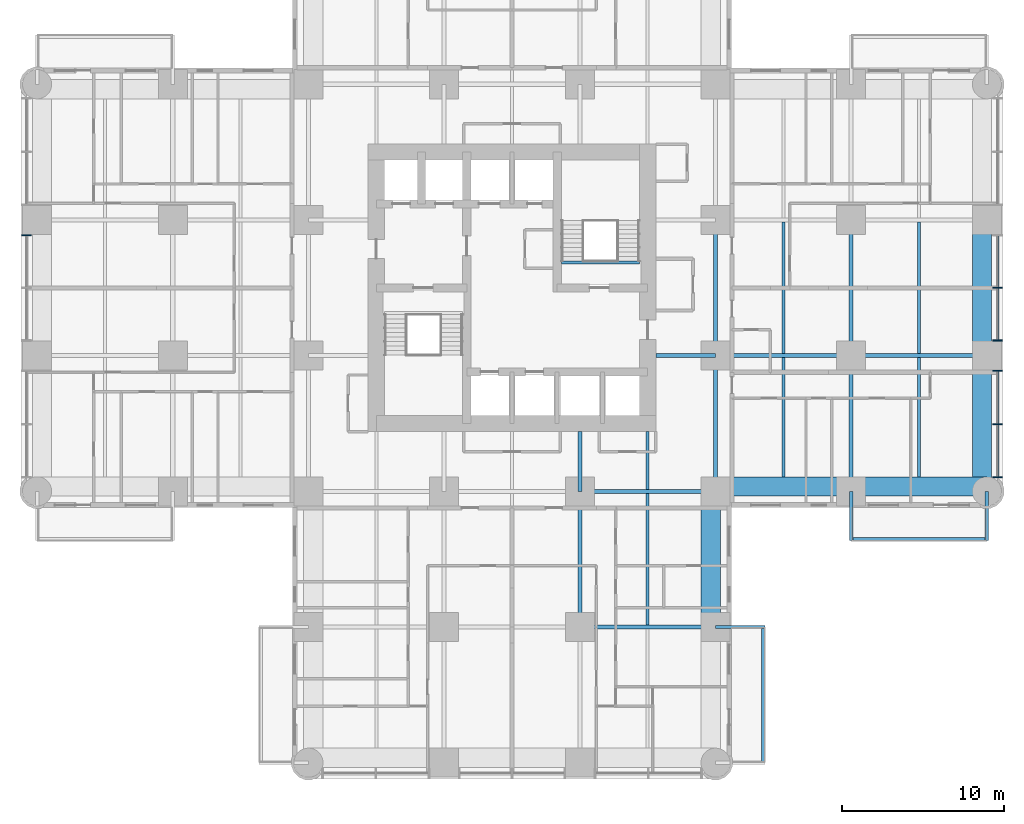
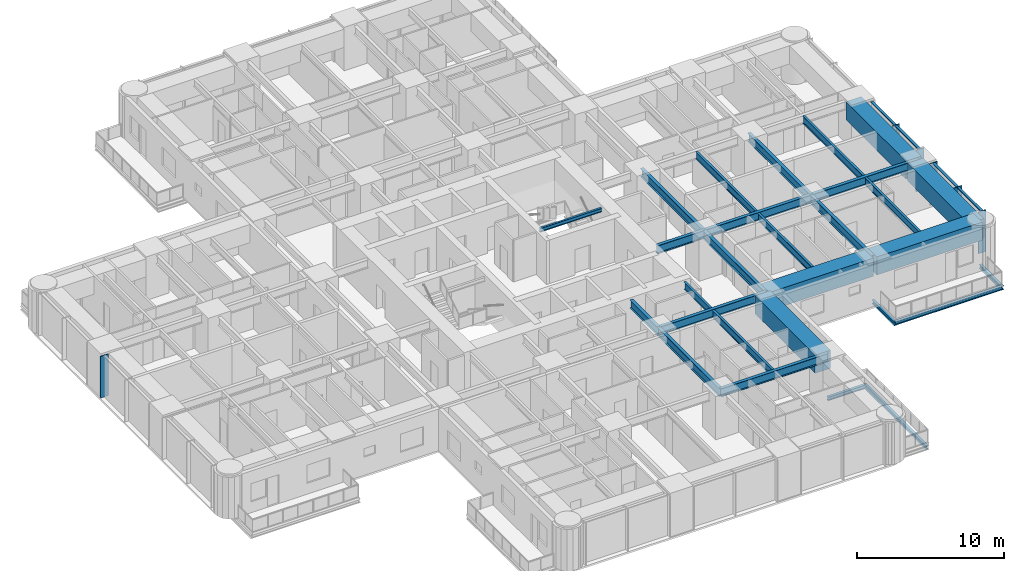
# One storey, part 3 of 17: 28 beams, 10 members, 2 elements without a shape of their own.
"""IFC4 building model written with IfcOpenShell, lengths in metres."""

from ifc_helpers import new_model, si_unit, direction, frame, origin, origin_2d, place, context, subcontext, project, spatial, rectangle, i_section, extrude, material, material_profile, profile_set, type_object, element, aggregate, save


model = new_model("IFC4")

# Units and contexts
model_context = context("Model", 3, precision=1e-05, world=origin(), true_north=direction((0.0, 1.0)))
body_context = subcontext(model_context, "Body", "Model", "MODEL_VIEW")
ifc_project = project(units=[si_unit("LENGTHUNIT", "METRE"), si_unit("AREAUNIT", "SQUARE_METRE"), si_unit("VOLUMEUNIT", "CUBIC_METRE"), si_unit("PLANEANGLEUNIT", "RADIAN"), si_unit("MASSUNIT", "GRAM", prefix="KILO")], contexts=[model_context])

# Site, building, storey
site_placement = place(None, origin())
site = spatial("IfcSite", under=ifc_project, at=site_placement, CompositionType="ELEMENT")
building_placement = place(site_placement, origin())
building = spatial("IfcBuilding", under=site, at=building_placement, Name="Torre Alcanfor", CompositionType="ELEMENT")
storey_placement = place(building_placement, frame((0.0, 0.0, 59.699951171875)))
storey = spatial("IfcBuildingStorey", under=building, at=storey_placement, Name="L14", CompositionType="ELEMENT", Elevation=59.699951171875)

# Beams
ifc_material_1 = material(Name="Steel ASTM A992 Grade 50", Category="steel")
ifc_material_profile_1 = material_profile(ifc_material_1, i_section(OverallWidth=0.205322265625, OverallDepth=0.309814453125, WebThickness=0.00927734375, FlangeThickness=0.016357421875, at=origin_2d()), Name="W12x50")
ifc_profile_set_1 = profile_set([ifc_material_profile_1], Name="Steel ASTM A992 Grade 50")
beam_type_1 = type_object("IfcBeamType", Name="Balcony cantilever beam W12x50", PredefinedType="BEAM", material=ifc_profile_set_1)
for number, where, z_axis, x_axis, name in (
    (1, (50.39990234375, 16.800048828125, -0.35498046875), (0.0, -1.0, 0.0), (1.0, 0.0, 0.0), "Balcony cantilever beam L14-E2 1"),
    (2, (58.800048828125, 16.800048828125, -0.35498046875), (0.0, -1.0, 0.0), (1.0, 0.0, 0.0), "Balcony cantilever beam L14-E2 2"),
    (3, (42.0, 8.39990234375, -0.35498046875), (1.0, 0.0, 0.0), (0.0, 1.0, 0.0), "Balcony cantilever beam L14-S1 1"),
):
    element("IfcBeam", number, at=place(storey_placement, frame(where, z_axis=z_axis, x_axis=x_axis)), inside=storey, type_object=beam_type_1, Name=name, PredefinedType="BEAM", context=body_context, shape_type="SweptSolid", body=[
        extrude(i_section(OverallWidth=0.205322265625, OverallDepth=0.309814453125, WebThickness=0.00927734375, FlangeThickness=0.016357421875, at=origin_2d()), origin(), (0.0, 0.0, 1.0), 3.050048828125),
    ])
ifc_material_2 = material(Name="Steel ASTM A992 Grade 50", Category="steel")
ifc_material_profile_2 = material_profile(ifc_material_2, i_section(OverallWidth=0.203369140625, OverallDepth=0.30224609375, WebThickness=0.007568359375, FlangeThickness=0.01318359375, at=origin_2d()), Name="W12x40")
ifc_profile_set_2 = profile_set([ifc_material_profile_2], Name="Steel ASTM A992 Grade 50")
beam_type_2 = type_object("IfcBeamType", Name="Balcony edge trimmer W12x40", PredefinedType="BEAM", material=ifc_profile_set_2)
beam_1_placement = place(storey_placement, frame((50.39990234375, 13.851806640625, -0.35107421875), z_axis=(1.0, 0.0, 0.0), x_axis=(0.0, 1.0, 0.0)))
element("IfcBeam", 4, at=beam_1_placement, inside=storey, type_object=beam_type_2, Name="Balcony edge trimmer L14-E2", PredefinedType="BEAM", context=body_context, shape_type="SweptSolid", body=[
    extrude(i_section(OverallWidth=0.203369140625, OverallDepth=0.30224609375, WebThickness=0.007568359375, FlangeThickness=0.01318359375, at=origin_2d()), origin(), (0.0, 0.0, 1.0), 8.400146484375),
])
beam_2_placement = place(storey_placement, frame((44.9482421875, 8.39990234375, -0.35107421875), z_axis=(0.0, -1.0, 0.0), x_axis=(1.0, 0.0, 0.0)))
element("IfcBeam", 5, at=beam_2_placement, inside=storey, type_object=beam_type_2, Name="Balcony edge trimmer L14-S1", PredefinedType="BEAM", context=body_context, shape_type="SweptSolid", body=[
    extrude(i_section(OverallWidth=0.203369140625, OverallDepth=0.30224609375, WebThickness=0.007568359375, FlangeThickness=0.01318359375, at=origin_2d()), origin(), (0.0, 0.0, 1.0), 8.39990234375),
])

# Curtain wall, member
ifc_material_3 = material(Name="Aluminium and glass", Category="aluminium")
curtain_wall_type = type_object("IfcCurtainWallType", Name="CW-A unitised apartment glazing with vertical FIN", PredefinedType="NOTDEFINED", material=ifc_material_3)
curtain_wall_1_placement = place(storey_placement, origin())
curtain_wall_1 = element("IfcCurtainWall", 6, at=curtain_wall_1_placement, inside=storey, type_object=curtain_wall_type, Name="Curtain wall CW-A L14 2", PredefinedType="NOTDEFINED")
ifc_material_4 = material(Name="Bronze anodised aluminium", Category="aluminium")
ifc_material_profile_3 = material_profile(ifc_material_4, rectangle(XDim=0.60009765625, YDim=0.06494140625, at=origin_2d()), Name="CW-A mullion 65x600")
ifc_profile_set_3 = profile_set([ifc_material_profile_3], Name="Bronze anodised aluminium")
member_type_1 = type_object("IfcMemberType", Name="CW-A mullion with vertical FIN 65x600", PredefinedType="MULLION", material=ifc_profile_set_3)
member_1_placement = place(storey_placement, frame((-0.64990234375, 32.66259765625, 0.0), z_axis=(0.0, 0.0, 1.0), x_axis=(1.0, 0.0, 0.0)))
member_1 = element("IfcMember", 7, at=member_1_placement, type_object=member_type_1, Name="CW-A mullion 2.1", PredefinedType="MULLION", context=body_context, shape_type="SweptSolid", body=[
    extrude(rectangle(XDim=0.60009765625, YDim=0.06494140625, at=origin_2d()), origin(), (0.0, 0.0, 1.0), 3.449951171875),
])
aggregate(curtain_wall_1, [member_1])

# Curtain wall, members
curtain_wall_2_placement = place(storey_placement, origin())
curtain_wall_2 = element("IfcCurtainWall", 8, at=curtain_wall_2_placement, inside=storey, type_object=curtain_wall_type, Name="Curtain wall CW-A L14 8", PredefinedType="NOTDEFINED")
member_2_placement = place(storey_placement, frame((59.449951171875, 17.6669921875, 0.0), z_axis=(0.0, 0.0, 1.0), x_axis=(-1.0, 0.0, 0.0)))
member_2 = element("IfcMember", 9, at=member_2_placement, type_object=member_type_1, Name="CW-A mullion 1.1", PredefinedType="MULLION", context=body_context, shape_type="SweptSolid", body=[
    extrude(rectangle(XDim=0.60009765625, YDim=0.06494140625, at=origin_2d()), origin(), (0.0, 0.0, 1.0), 3.449951171875),
])
member_3_placement = place(storey_placement, frame((59.449951171875, 20.96484375, 0.0), z_axis=(0.0, 0.0, 1.0), x_axis=(-1.0, 0.0, 0.0)))
member_3 = element("IfcMember", 10, at=member_3_placement, type_object=member_type_1, Name="CW-A mullion 1.2", PredefinedType="MULLION", context=body_context, shape_type="SweptSolid", body=[
    extrude(rectangle(XDim=0.60009765625, YDim=0.06494140625, at=origin_2d()), origin(), (0.0, 0.0, 1.0), 3.449951171875),
])
member_4_placement = place(storey_placement, frame((59.449951171875, 24.262451171875, 0.0), z_axis=(0.0, 0.0, 1.0), x_axis=(-1.0, 0.0, 0.0)))
member_4 = element("IfcMember", 11, at=member_4_placement, type_object=member_type_1, Name="CW-A mullion 1.3", PredefinedType="MULLION", context=body_context, shape_type="SweptSolid", body=[
    extrude(rectangle(XDim=0.60009765625, YDim=0.06494140625, at=origin_2d()), origin(), (0.0, 0.0, 1.0), 3.449951171875),
])
member_5_placement = place(storey_placement, frame((59.449951171875, 26.137451171875, 0.0), z_axis=(0.0, 0.0, 1.0), x_axis=(-1.0, 0.0, 0.0)))
member_5 = element("IfcMember", 12, at=member_5_placement, type_object=member_type_1, Name="CW-A mullion 2.1", PredefinedType="MULLION", context=body_context, shape_type="SweptSolid", body=[
    extrude(rectangle(XDim=0.60009765625, YDim=0.06494140625, at=origin_2d()), origin(), (0.0, 0.0, 1.0), 3.449951171875),
])
member_6_placement = place(storey_placement, frame((59.449951171875, 29.39990234375, 0.0), z_axis=(0.0, 0.0, 1.0), x_axis=(-1.0, 0.0, 0.0)))
member_6 = element("IfcMember", 13, at=member_6_placement, type_object=member_type_1, Name="CW-A mullion 2.2", PredefinedType="MULLION", context=body_context, shape_type="SweptSolid", body=[
    extrude(rectangle(XDim=0.60009765625, YDim=0.06494140625, at=origin_2d()), origin(), (0.0, 0.0, 1.0), 3.449951171875),
])
ifc_material_5 = material(Name="Extruded aluminium", Category="aluminium")
ifc_material_profile_4 = material_profile(ifc_material_5, rectangle(XDim=0.199951171875, YDim=0.06494140625, at=origin_2d()), Name="CW-A transom 200x65")
ifc_profile_set_4 = profile_set([ifc_material_profile_4], Name="Extruded aluminium")
member_type_2 = type_object("IfcMemberType", Name="CW-A transom 65x200", PredefinedType="USERDEFINED", material=ifc_profile_set_4)
member_7_placement = place(storey_placement, frame((59.449951171875, 17.699462890625, 3.41748046875), z_axis=(0.0, 1.0, 0.0), x_axis=(-1.0, 0.0, 0.0)))
member_7 = element("IfcMember", 14, at=member_7_placement, type_object=member_type_2, Name="CW-A transom 1.1.2", ObjectType="TRANSOM", PredefinedType="USERDEFINED", context=body_context, shape_type="SweptSolid", body=[
    extrude(rectangle(XDim=0.199951171875, YDim=0.06494140625, at=origin_2d()), origin(), (0.0, 0.0, 1.0), 3.232666015625),
])
member_8_placement = place(storey_placement, frame((59.449951171875, 20.997314453125, 3.41748046875), z_axis=(0.0, 1.0, 0.0), x_axis=(-1.0, 0.0, 0.0)))
member_8 = element("IfcMember", 15, at=member_8_placement, type_object=member_type_2, Name="CW-A transom 1.2.2", ObjectType="TRANSOM", PredefinedType="USERDEFINED", context=body_context, shape_type="SweptSolid", body=[
    extrude(rectangle(XDim=0.199951171875, YDim=0.06494140625, at=origin_2d()), origin(), (0.0, 0.0, 1.0), 3.232666015625),
])
member_9_placement = place(storey_placement, frame((59.449951171875, 26.169921875, 3.41748046875), z_axis=(0.0, 1.0, 0.0), x_axis=(-1.0, 0.0, 0.0)))
member_9 = element("IfcMember", 16, at=member_9_placement, type_object=member_type_2, Name="CW-A transom 2.1.2", ObjectType="TRANSOM", PredefinedType="USERDEFINED", context=body_context, shape_type="SweptSolid", body=[
    extrude(rectangle(XDim=0.199951171875, YDim=0.06494140625, at=origin_2d()), origin(), (0.0, 0.0, 1.0), 3.197509765625),
])
member_10_placement = place(storey_placement, frame((59.449951171875, 29.4326171875, 3.41748046875), z_axis=(0.0, 1.0, 0.0), x_axis=(-1.0, 0.0, 0.0)))
member_10 = element("IfcMember", 17, at=member_10_placement, type_object=member_type_2, Name="CW-A transom 2.2.2", ObjectType="TRANSOM", PredefinedType="USERDEFINED", context=body_context, shape_type="SweptSolid", body=[
    extrude(rectangle(XDim=0.199951171875, YDim=0.06494140625, at=origin_2d()), origin(), (0.0, 0.0, 1.0), 3.197265625),
])
aggregate(curtain_wall_2, [member_2, member_3, member_4, member_7, member_8, member_5, member_6, member_9, member_10])

# Beams
ifc_material_6 = material(Name="Steel ASTM A992 Grade 50", Category="steel")
ifc_material_profile_5 = material_profile(ifc_material_6, i_section(OverallWidth=0.25390625, OverallDepth=0.683349609375, WebThickness=0.012451171875, FlangeThickness=0.01904296875, at=origin_2d()), Name="W27x94")
ifc_profile_set_5 = profile_set([ifc_material_profile_5], Name="Steel ASTM A992 Grade 50")
beam_type_3 = type_object("IfcBeamType", Name="Girder W27x94", PredefinedType="BEAM", material=ifc_profile_set_5)
for number, where, z_axis, x_axis, name in (
    (18, (33.60009765625, 8.39990234375, 3.1083984375), (1.0, 0.0, 0.0), (0.0, 1.0, 0.0), "Beam 5D-6D under L15"),
    (19, (33.60009765625, 16.800048828125, 3.1083984375), (1.0, 0.0, 0.0), (0.0, 1.0, 0.0), "Beam 5E-6E under L15"),
    (20, (42.0, 25.199951171875, 3.1083984375), (1.0, 0.0, 0.0), (0.0, 1.0, 0.0), "Beam 6F-7F under L15"),
):
    element("IfcBeam", number, at=place(storey_placement, frame(where, z_axis=z_axis, x_axis=x_axis)), inside=storey, type_object=beam_type_3, Name=name, PredefinedType="BEAM", context=body_context, shape_type="SweptSolid", body=[
        extrude(i_section(OverallWidth=0.25390625, OverallDepth=0.683349609375, WebThickness=0.012451171875, FlangeThickness=0.01904296875, at=origin_2d()), origin(), (0.0, 0.0, 1.0), 8.39990234375),
    ])
for number, where, z_axis, x_axis, name in (
    (21, (50.39990234375, 25.199951171875, 3.1083984375), (1.0, 0.0, 0.0), (0.0, 1.0, 0.0), "Beam 7F-8F under L15"),
    (22, (33.60009765625, 8.39990234375, 3.1083984375), (0.0, 1.0, 0.0), (-1.0, 0.0, 0.0), "Beam 5D-5E under L15"),
):
    element("IfcBeam", number, at=place(storey_placement, frame(where, z_axis=z_axis, x_axis=x_axis)), inside=storey, type_object=beam_type_3, Name=name, PredefinedType="BEAM", context=body_context, shape_type="SweptSolid", body=[
        extrude(i_section(OverallWidth=0.25390625, OverallDepth=0.683349609375, WebThickness=0.012451171875, FlangeThickness=0.01904296875, at=origin_2d()), origin(), (0.0, 0.0, 1.0), 8.400146484375),
    ])
beam_3_placement = place(storey_placement, frame((42.0, 16.800048828125, 3.1083984375), z_axis=(0.0, 1.0, 0.0), x_axis=(-1.0, 0.0, 0.0)))
element("IfcBeam", 23, at=beam_3_placement, inside=storey, type_object=beam_type_3, Name="Beam 6E-6F under L15", PredefinedType="BEAM", context=body_context, shape_type="SweptSolid", body=[
    extrude(i_section(OverallWidth=0.25390625, OverallDepth=0.683349609375, WebThickness=0.012451171875, FlangeThickness=0.01904296875, at=origin_2d()), origin(), (0.0, 0.0, 1.0), 8.39990234375),
])
beam_4_placement = place(storey_placement, frame((42.0, 25.199951171875, 3.1083984375), z_axis=(0.0, 1.0, 0.0), x_axis=(-1.0, 0.0, 0.0)))
element("IfcBeam", 24, at=beam_4_placement, inside=storey, type_object=beam_type_3, Name="Beam 6F-6G under L15", PredefinedType="BEAM", context=body_context, shape_type="SweptSolid", body=[
    extrude(i_section(OverallWidth=0.25390625, OverallDepth=0.683349609375, WebThickness=0.012451171875, FlangeThickness=0.01904296875, at=origin_2d()), origin(), (0.0, 0.0, 1.0), 8.400146484375),
])
beam_5_placement = place(storey_placement, frame((50.39990234375, 16.800048828125, 3.1083984375), z_axis=(0.0, 1.0, 0.0), x_axis=(-1.0, 0.0, 0.0)))
element("IfcBeam", 25, at=beam_5_placement, inside=storey, type_object=beam_type_3, Name="Beam 7E-7F under L15", PredefinedType="BEAM", context=body_context, shape_type="SweptSolid", body=[
    extrude(i_section(OverallWidth=0.25390625, OverallDepth=0.683349609375, WebThickness=0.012451171875, FlangeThickness=0.01904296875, at=origin_2d()), origin(), (0.0, 0.0, 1.0), 8.39990234375),
])
beam_6_placement = place(storey_placement, frame((50.39990234375, 25.199951171875, 3.1083984375), z_axis=(0.0, 1.0, 0.0), x_axis=(-1.0, 0.0, 0.0)))
element("IfcBeam", 26, at=beam_6_placement, inside=storey, type_object=beam_type_3, Name="Beam 7F-7G under L15", PredefinedType="BEAM", context=body_context, shape_type="SweptSolid", body=[
    extrude(i_section(OverallWidth=0.25390625, OverallDepth=0.683349609375, WebThickness=0.012451171875, FlangeThickness=0.01904296875, at=origin_2d()), origin(), (0.0, 0.0, 1.0), 8.400146484375),
])
ifc_material_7 = material(Name="Steel ASTM A992 Grade 50", Category="steel")
ifc_material_profile_6 = material_profile(ifc_material_7, i_section(OverallWidth=0.25390625, OverallDepth=0.683349609375, WebThickness=0.012451171875, FlangeThickness=0.01904296875, at=origin_2d()), Name="W27x94")
ifc_profile_set_6 = profile_set([ifc_material_profile_6], Name="Steel ASTM A992 Grade 50")
beam_type_4 = type_object("IfcBeamType", Name="Girder, part bay W27x94", PredefinedType="BEAM", material=ifc_profile_set_6)
for number, where, z_axis, x_axis, name in (
    (27, (33.60009765625, 16.800048828125, 3.1083984375), (0.0, 1.0, 0.0), (-1.0, 0.0, 0.0), "Beam 5E-520_5 under L15"),
    (28, (42.0, 25.199951171875, 3.1083984375), (-1.0, 0.0, 0.0), (0.0, -1.0, 0.0), "Beam 6F-38_3F under L15"),
):
    element("IfcBeam", number, at=place(storey_placement, frame(where, z_axis=z_axis, x_axis=x_axis)), inside=storey, type_object=beam_type_4, Name=name, PredefinedType="BEAM", context=body_context, shape_type="SweptSolid", body=[
        extrude(i_section(OverallWidth=0.25390625, OverallDepth=0.683349609375, WebThickness=0.012451171875, FlangeThickness=0.01904296875, at=origin_2d()), origin(), (0.0, 0.0, 1.0), 3.699951171875),
    ])
ifc_material_8 = material(Name="Concrete f'c 70 MPa", Category="concrete")
ifc_material_profile_7 = material_profile(ifc_material_8, rectangle(XDim=1.199951171875, YDim=1.5, at=origin_2d()), Name="1200x1500")
ifc_profile_set_7 = profile_set([ifc_material_profile_7], Name="Concrete f'c 70 MPa")
beam_type_5 = type_object("IfcBeamType", Name="RC perimeter beam 1200x1500", PredefinedType="BEAM", material=ifc_profile_set_7)
beam_7_placement = place(storey_placement, frame((42.126953125, 17.10009765625, 2.699951171875), z_axis=(1.0, 0.0, 0.0), x_axis=(0.0, 1.0, 0.0)))
element("IfcBeam", 29, at=beam_7_placement, inside=storey, type_object=beam_type_5, Name="Beam 6E-7E under L15", PredefinedType="BEAM", context=body_context, shape_type="SweptSolid", body=[
    extrude(rectangle(XDim=1.199951171875, YDim=1.5, at=origin_2d()), origin(), (0.0, 0.0, 1.0), 8.14599609375),
])
beam_8_placement = place(storey_placement, frame((50.527099609375, 17.10009765625, 2.699951171875), z_axis=(1.0, 0.0, 0.0), x_axis=(0.0, 1.0, 0.0)))
element("IfcBeam", 30, at=beam_8_placement, inside=storey, type_object=beam_type_5, Name="Beam 7E-8E under L15", PredefinedType="BEAM", context=body_context, shape_type="SweptSolid", body=[
    extrude(rectangle(XDim=1.199951171875, YDim=1.5, at=origin_2d()), origin(), (0.0, 0.0, 1.0), 8.27294921875),
])
beam_9_placement = place(storey_placement, frame((41.699951171875, 8.527099609375, 2.699951171875), z_axis=(0.0, 1.0, 0.0), x_axis=(-1.0, 0.0, 0.0)))
element("IfcBeam", 31, at=beam_9_placement, inside=storey, type_object=beam_type_5, Name="Beam 6D-6E under L15", PredefinedType="BEAM", context=body_context, shape_type="SweptSolid", body=[
    extrude(rectangle(XDim=1.199951171875, YDim=1.5, at=origin_2d()), origin(), (0.0, 0.0, 1.0), 8.14599609375),
])
beam_10_placement = place(storey_placement, frame((58.5, 16.800048828125, 2.699951171875), z_axis=(0.0, 1.0, 0.0), x_axis=(-1.0, 0.0, 0.0)))
element("IfcBeam", 32, at=beam_10_placement, inside=storey, type_object=beam_type_5, Name="Beam 8E-8F under L15", PredefinedType="BEAM", context=body_context, shape_type="SweptSolid", body=[
    extrude(rectangle(XDim=1.199951171875, YDim=1.5, at=origin_2d()), origin(), (0.0, 0.0, 1.0), 8.27294921875),
])
beam_11_placement = place(storey_placement, frame((58.5, 25.326904296875, 2.699951171875), z_axis=(0.0, 1.0, 0.0), x_axis=(-1.0, 0.0, 0.0)))
element("IfcBeam", 33, at=beam_11_placement, inside=storey, type_object=beam_type_5, Name="Beam 8F-8G under L15", PredefinedType="BEAM", context=body_context, shape_type="SweptSolid", body=[
    extrude(rectangle(XDim=1.199951171875, YDim=1.5, at=origin_2d()), origin(), (0.0, 0.0, 1.0), 8.14599609375),
])
ifc_material_9 = material(Name="Steel ASTM A992 Grade 50", Category="steel")
ifc_material_profile_8 = material_profile(ifc_material_9, i_section(OverallWidth=0.1787109375, OverallDepth=0.60205078125, WebThickness=0.010986328125, FlangeThickness=0.014892578125, at=origin_2d()), Name="W24x62")
ifc_profile_set_8 = profile_set([ifc_material_profile_8], Name="Steel ASTM A992 Grade 50")
beam_type_6 = type_object("IfcBeamType", Name="Secondary beam W24x62", PredefinedType="BEAM", material=ifc_profile_set_8)
beam_12_placement = place(storey_placement, frame((37.800048828125, 8.527099609375, 3.149169921875), z_axis=(0.0, 1.0, 0.0), x_axis=(-1.0, 0.0, 0.0)))
element("IfcBeam", 34, at=beam_12_placement, inside=storey, type_object=beam_type_6, Name="Beam 37_8D-37_8E under L15", PredefinedType="BEAM", context=body_context, shape_type="SweptSolid", body=[
    extrude(i_section(OverallWidth=0.1787109375, OverallDepth=0.60205078125, WebThickness=0.010986328125, FlangeThickness=0.014892578125, at=origin_2d()), origin(), (0.0, 0.0, 1.0), 8.14599609375),
])
beam_13_placement = place(storey_placement, frame((46.199951171875, 17.699951171875, 3.149169921875), z_axis=(0.0, 1.0, 0.0), x_axis=(-1.0, 0.0, 0.0)))
element("IfcBeam", 35, at=beam_13_placement, inside=storey, type_object=beam_type_6, Name="Beam 46_2E-46_2F under L15", PredefinedType="BEAM", context=body_context, shape_type="SweptSolid", body=[
    extrude(i_section(OverallWidth=0.1787109375, OverallDepth=0.60205078125, WebThickness=0.010986328125, FlangeThickness=0.014892578125, at=origin_2d()), origin(), (0.0, 0.0, 1.0), 7.373046875),
])
beam_14_placement = place(storey_placement, frame((46.199951171875, 25.326904296875, 3.149169921875), z_axis=(0.0, 1.0, 0.0), x_axis=(-1.0, 0.0, 0.0)))
element("IfcBeam", 36, at=beam_14_placement, inside=storey, type_object=beam_type_6, Name="Beam 46_2F-46_2G under L15", PredefinedType="BEAM", context=body_context, shape_type="SweptSolid", body=[
    extrude(i_section(OverallWidth=0.1787109375, OverallDepth=0.60205078125, WebThickness=0.010986328125, FlangeThickness=0.014892578125, at=origin_2d()), origin(), (0.0, 0.0, 1.0), 8.14599609375),
])
beam_15_placement = place(storey_placement, frame((54.60009765625, 17.699951171875, 3.149169921875), z_axis=(0.0, 1.0, 0.0), x_axis=(-1.0, 0.0, 0.0)))
element("IfcBeam", 37, at=beam_15_placement, inside=storey, type_object=beam_type_6, Name="Beam 54_6E-54_6F under L15", PredefinedType="BEAM", context=body_context, shape_type="SweptSolid", body=[
    extrude(i_section(OverallWidth=0.1787109375, OverallDepth=0.60205078125, WebThickness=0.010986328125, FlangeThickness=0.014892578125, at=origin_2d()), origin(), (0.0, 0.0, 1.0), 7.373046875),
])
beam_16_placement = place(storey_placement, frame((54.60009765625, 25.326904296875, 3.149169921875), z_axis=(0.0, 1.0, 0.0), x_axis=(-1.0, 0.0, 0.0)))
element("IfcBeam", 38, at=beam_16_placement, inside=storey, type_object=beam_type_6, Name="Beam 54_6F-54_6G under L15", PredefinedType="BEAM", context=body_context, shape_type="SweptSolid", body=[
    extrude(i_section(OverallWidth=0.1787109375, OverallDepth=0.60205078125, WebThickness=0.010986328125, FlangeThickness=0.014892578125, at=origin_2d()), origin(), (0.0, 0.0, 1.0), 8.14599609375),
])
ifc_material_10 = material(Name="Steel ASTM A992 Grade 50", Category="steel")
ifc_material_profile_9 = material_profile(ifc_material_10, i_section(OverallWidth=0.1787109375, OverallDepth=0.60205078125, WebThickness=0.010986328125, FlangeThickness=0.014892578125, at=origin_2d()), Name="W24x62")
ifc_profile_set_9 = profile_set([ifc_material_profile_9], Name="Steel ASTM A992 Grade 50")
beam_type_7 = type_object("IfcBeamType", Name="Secondary beam, part bay W24x62", PredefinedType="BEAM", material=ifc_profile_set_9)
beam_17_placement = place(storey_placement, frame((37.800048828125, 16.927001953125, 3.149169921875), z_axis=(0.0, 1.0, 0.0), x_axis=(-1.0, 0.0, 0.0)))
element("IfcBeam", 39, at=beam_17_placement, inside=storey, type_object=beam_type_7, Name="Beam 37_8E-37_820_5 under L15", PredefinedType="BEAM", context=body_context, shape_type="SweptSolid", body=[
    extrude(i_section(OverallWidth=0.1787109375, OverallDepth=0.60205078125, WebThickness=0.010986328125, FlangeThickness=0.014892578125, at=origin_2d()), origin(), (0.0, 0.0, 1.0), 3.572998046875),
])
ifc_material_11 = material(Name="Steel ASTM A992 Grade 50", Category="steel")
ifc_material_profile_10 = material_profile(ifc_material_11, i_section(OverallWidth=0.164794921875, OverallDepth=0.309814453125, WebThickness=0.005859375, FlangeThickness=0.009765625, at=origin_2d()), Name="W12x26")
ifc_profile_set_10 = profile_set([ifc_material_profile_10], Name="Steel ASTM A992 Grade 50")
beam_type_8 = type_object("IfcBeamType", Name="Stair landing beam W12x26", PredefinedType="BEAM", material=ifc_profile_set_10)
beam_18_placement = place(storey_placement, frame((32.449951171875, 30.962646484375, 3.2451171875), z_axis=(1.0, 0.0, 0.0), x_axis=(0.0, 1.0, 0.0)))
element("IfcBeam", 40, at=beam_18_placement, inside=storey, type_object=beam_type_8, Name="Landing trimmer S2 L15", PredefinedType="BEAM", context=body_context, shape_type="SweptSolid", body=[
    extrude(i_section(OverallWidth=0.164794921875, OverallDepth=0.309814453125, WebThickness=0.005859375, FlangeThickness=0.009765625, at=origin_2d()), origin(), (0.0, 0.0, 1.0), 4.85009765625),
])

save(model, "model.ifc")
